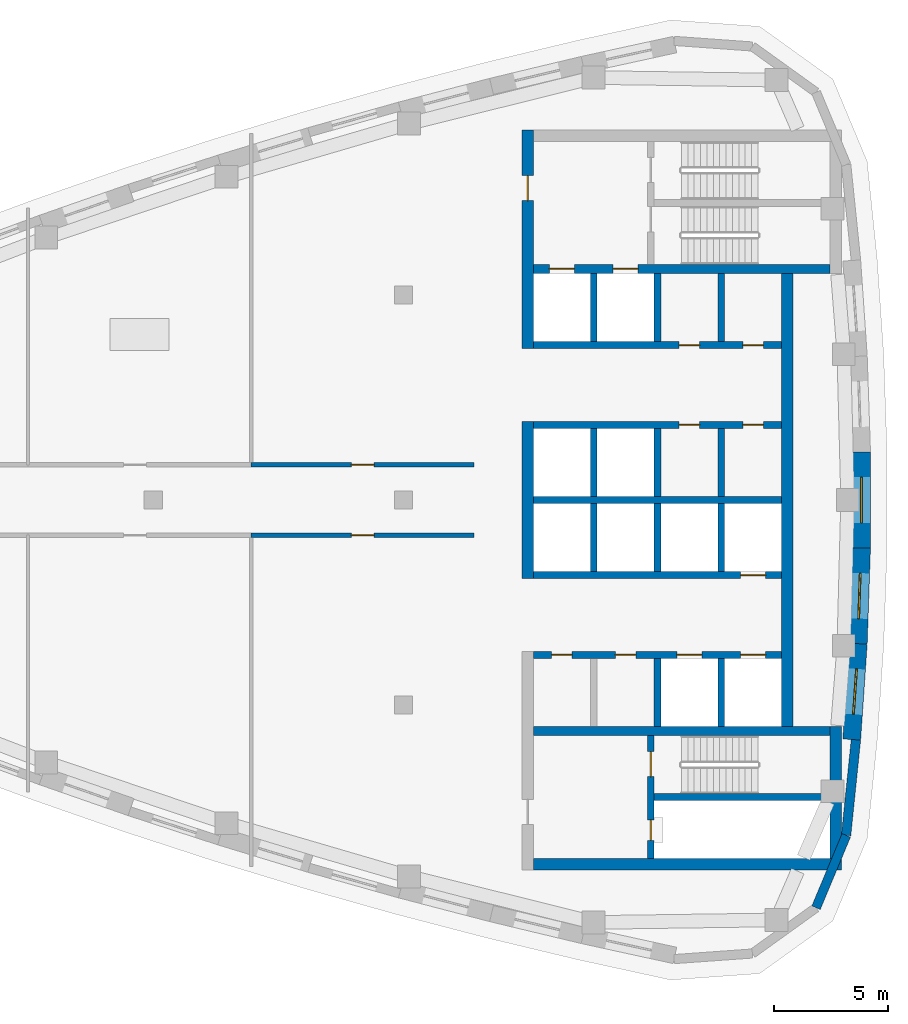
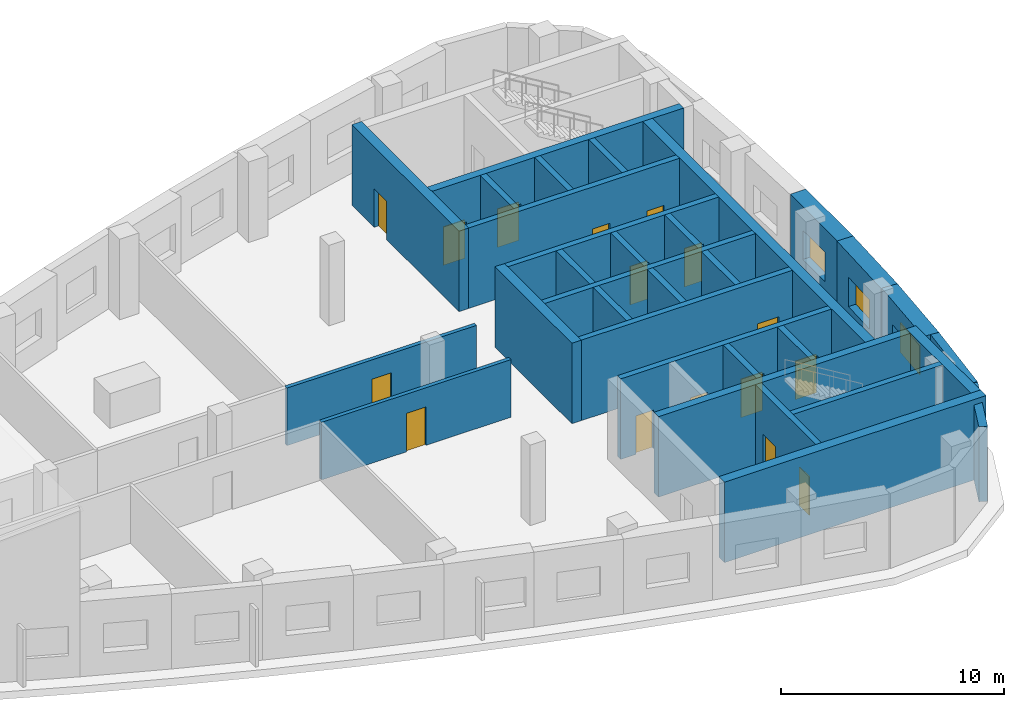
# One storey, part 3 of 7: 32 walls, 16 doors, 3 windows, 19 openings.
"""IFC4 building model written with IfcOpenShell, lengths in metres."""

from ifc_helpers import new_model, si_unit, direction, frame, frame_2d, origin, place, context, subcontext, project, spatial, rectangle, extrude, material, layer, layer_set, type_object, element, fill, save


model = new_model("IFC4")

# Units and contexts
model_context = context("Model", 3, precision=1e-05, world=origin(), true_north=direction((0.0, 1.0)))
body_context = subcontext(model_context, "Body", "Model", "MODEL_VIEW")
ifc_project = project(units=[si_unit("LENGTHUNIT", "METRE"), si_unit("AREAUNIT", "SQUARE_METRE"), si_unit("VOLUMEUNIT", "CUBIC_METRE"), si_unit("PLANEANGLEUNIT", "RADIAN"), si_unit("MASSUNIT", "GRAM", prefix="KILO")], contexts=[model_context])

# Site, building, storey
site_placement = place(None, origin())
site = spatial("IfcSite", under=ifc_project, at=site_placement, CompositionType="ELEMENT")
building_placement = place(site_placement, origin())
building = spatial("IfcBuilding", under=site, at=building_placement, Name="Ostrand Prow Hotel Tower", CompositionType="ELEMENT")
storey_placement = place(building_placement, frame((0.0, 0.0, 323.0)))
storey = spatial("IfcBuildingStorey", under=building, at=storey_placement, Name="C4", CompositionType="ELEMENT", Elevation=323.0)

# Wall
ifc_material_1 = material(Name="Concrete C40/50", Category="concrete")
ifc_layer_1 = layer(ifc_material_1, 0.300048828125)
ifc_layer_set_1 = layer_set([ifc_layer_1], Name="Concrete C40/50")
wall_type_1 = type_object("IfcWallType", Name="Core wall 300 C40/50", PredefinedType="SHEAR", material=ifc_layer_set_1)
wall_1_placement = place(storey_placement, frame((50.699951171875, 0.0, 0.0), z_axis=(0.0, 0.0, 1.0), x_axis=(1.0, 0.0, 0.0)))
element("IfcWall", 1, at=wall_1_placement, inside=storey, type_object=wall_type_1, Name="Core wall PW-C", PredefinedType="SHEAR", context=body_context, shape_type="SweptSolid", body=[
    extrude(rectangle(XDim=10.900146484375, YDim=0.300048828125, at=frame_2d((5.4501953125, 0.0))), origin(), (0.0, 0.0, 1.0), 4.39990234375),
])

# Wall, openings, doors
wall_2_placement = place(storey_placement, frame((50.699951171875, 3.300048828125, 0.0), z_axis=(0.0, 0.0, 1.0), x_axis=(1.0, 0.0, 0.0)))
wall_2 = element("IfcWall", 2, at=wall_2_placement, inside=storey, type_object=wall_type_1, Name="Core wall PW-L1-N", PredefinedType="SHEAR", context=body_context, shape_type="SweptSolid", body=[
    extrude(rectangle(XDim=10.900146484375, YDim=0.300048828125, at=frame_2d((5.4501953125, 0.0))), origin(), (0.0, 0.0, 1.0), 4.39990234375),
])
opening_1_placement = place(wall_2_placement, frame((6.39990234375, 0.0, 0.0)))
opening_1 = element("IfcOpeningElement", 3, at=opening_1_placement, cuts=wall_2, Name="Opening FD2", PredefinedType="OPENING", context=body_context, shape_type="SweptSolid", body=[
    extrude(rectangle(XDim=0.89990234375, YDim=2.10009765625, at=frame_2d((0.449951171875, 1.050048828125))), frame((0.0, 0.159912109375, 0.0), z_axis=(0.0, -1.0, 0.0), x_axis=(1.0, 0.0, 0.0)), (0.0, 0.0, 1.0), 0.320068359375),
])
opening_2_placement = place(wall_2_placement, frame((9.199951171875, 0.0, 0.0)))
opening_2 = element("IfcOpeningElement", 4, at=opening_2_placement, cuts=wall_2, Name="Opening FD2", PredefinedType="OPENING", context=body_context, shape_type="SweptSolid", body=[
    extrude(rectangle(XDim=0.89990234375, YDim=2.10009765625, at=frame_2d((0.449951171875, 1.050048828125))), frame((0.0, 0.159912109375, 0.0), z_axis=(0.0, -1.0, 0.0), x_axis=(1.0, 0.0, 0.0)), (0.0, 0.0, 1.0), 0.320068359375),
])
ifc_material_2 = material(Name="Steel fire door", Category="steel")
door_type_1 = type_object("IfcDoorType", Name="Fire door 900 EI120", OperationType="SINGLE_SWING_LEFT", PredefinedType="DOOR", material=ifc_material_2)
door_1_placement = place(opening_1_placement, origin())
door_1 = element("IfcDoor", 5, at=door_1_placement, inside=storey, type_object=door_type_1, Name="DOOR", OperationType="SINGLE_SWING_LEFT", OverallHeight=2.10009765625, OverallWidth=0.89990234375, PredefinedType="DOOR", context=body_context, shape_type="SweptSolid", body=[
    extrude(rectangle(XDim=0.89990234375, YDim=2.10009765625, at=frame_2d((0.449951171875, 1.050048828125))), frame((0.0, 0.02490234375, 0.0), z_axis=(0.0, -1.0, 0.0), x_axis=(1.0, 0.0, 0.0)), (0.0, 0.0, 1.0), 0.050048828125),
])
fill(opening_1, door_1)
door_2_placement = place(opening_2_placement, origin())
door_2 = element("IfcDoor", 6, at=door_2_placement, inside=storey, type_object=door_type_1, Name="DOOR", OperationType="SINGLE_SWING_LEFT", OverallHeight=2.10009765625, OverallWidth=0.89990234375, PredefinedType="DOOR", context=body_context, shape_type="SweptSolid", body=[
    extrude(rectangle(XDim=0.89990234375, YDim=2.10009765625, at=frame_2d((0.449951171875, 1.050048828125))), frame((0.0, 0.02490234375, 0.0), z_axis=(0.0, -1.0, 0.0), x_axis=(1.0, 0.0, 0.0)), (0.0, 0.0, 1.0), 0.050048828125),
])
fill(opening_2, door_2)

wall_3_placement = place(storey_placement, frame((50.699951171875, 6.800048828125, 0.0), z_axis=(0.0, 0.0, 1.0), x_axis=(1.0, 0.0, 0.0)))
wall_3 = element("IfcWall", 7, at=wall_3_placement, inside=storey, type_object=wall_type_1, Name="Core wall PW-L2-N", PredefinedType="SHEAR", context=body_context, shape_type="SweptSolid", body=[
    extrude(rectangle(XDim=10.900146484375, YDim=0.300048828125, at=frame_2d((5.4501953125, 0.0))), origin(), (0.0, 0.0, 1.0), 4.39990234375),
])
opening_3_placement = place(wall_3_placement, frame((6.39990234375, 0.0, 0.0)))
opening_3 = element("IfcOpeningElement", 8, at=opening_3_placement, cuts=wall_3, Name="Opening FD2", PredefinedType="OPENING", context=body_context, shape_type="SweptSolid", body=[
    extrude(rectangle(XDim=0.89990234375, YDim=2.10009765625, at=frame_2d((0.449951171875, 1.050048828125))), frame((0.0, 0.159912109375, 0.0), z_axis=(0.0, -1.0, 0.0), x_axis=(1.0, 0.0, 0.0)), (0.0, 0.0, 1.0), 0.320068359375),
])
opening_4_placement = place(wall_3_placement, frame((9.199951171875, 0.0, 0.0)))
opening_4 = element("IfcOpeningElement", 9, at=opening_4_placement, cuts=wall_3, Name="Opening FD2", PredefinedType="OPENING", context=body_context, shape_type="SweptSolid", body=[
    extrude(rectangle(XDim=0.89990234375, YDim=2.10009765625, at=frame_2d((0.449951171875, 1.050048828125))), frame((0.0, 0.159912109375, 0.0), z_axis=(0.0, -1.0, 0.0), x_axis=(1.0, 0.0, 0.0)), (0.0, 0.0, 1.0), 0.320068359375),
])
door_3_placement = place(opening_3_placement, origin())
door_3 = element("IfcDoor", 10, at=door_3_placement, inside=storey, type_object=door_type_1, Name="DOOR", OperationType="SINGLE_SWING_LEFT", OverallHeight=2.10009765625, OverallWidth=0.89990234375, PredefinedType="DOOR", context=body_context, shape_type="SweptSolid", body=[
    extrude(rectangle(XDim=0.89990234375, YDim=2.10009765625, at=frame_2d((0.449951171875, 1.050048828125))), frame((0.0, 0.02490234375, 0.0), z_axis=(0.0, -1.0, 0.0), x_axis=(1.0, 0.0, 0.0)), (0.0, 0.0, 1.0), 0.050048828125),
])
fill(opening_3, door_3)
door_4_placement = place(opening_4_placement, origin())
door_4 = element("IfcDoor", 11, at=door_4_placement, inside=storey, type_object=door_type_1, Name="DOOR", OperationType="SINGLE_SWING_LEFT", OverallHeight=2.10009765625, OverallWidth=0.89990234375, PredefinedType="DOOR", context=body_context, shape_type="SweptSolid", body=[
    extrude(rectangle(XDim=0.89990234375, YDim=2.10009765625, at=frame_2d((0.449951171875, 1.050048828125))), frame((0.0, 0.02490234375, 0.0), z_axis=(0.0, -1.0, 0.0), x_axis=(1.0, 0.0, 0.0)), (0.0, 0.0, 1.0), 0.050048828125),
])
fill(opening_4, door_4)

# Walls
for number, where, z_axis, x_axis, name in (
    (12, (53.35009765625, 0.14990234375, 0.0), (0.0, 0.0, 1.0), (0.0, 1.0, 0.0), "Core wall PW-R1-NB"),
    (13, (53.35009765625, 6.949951171875, 0.0), (0.0, 0.0, 1.0), (0.0, 1.0, 0.0), "Core wall PW-R1-NA"),
    (14, (56.14990234375, 0.14990234375, 0.0), (0.0, 0.0, 1.0), (0.0, 1.0, 0.0), "Core wall PW-R2-NB"),
    (15, (56.14990234375, 6.949951171875, 0.0), (0.0, 0.0, 1.0), (0.0, 1.0, 0.0), "Core wall PW-R2-NA"),
    (16, (58.949951171875, 0.14990234375, 0.0), (0.0, 0.0, 1.0), (0.0, 1.0, 0.0), "Core wall PW-R3-NB"),
    (17, (58.949951171875, 6.949951171875, 0.0), (0.0, 0.0, 1.0), (0.0, 1.0, 0.0), "Core wall PW-R3-NA"),
):
    element("IfcWall", number, at=place(storey_placement, frame(where, z_axis=z_axis, x_axis=x_axis)), inside=storey, type_object=wall_type_1, Name=name, PredefinedType="SHEAR", context=body_context, shape_type="SweptSolid", body=[
        extrude(rectangle(XDim=3.0, YDim=0.300048828125, at=frame_2d((1.5, 0.0))), origin(), (0.0, 0.0, 1.0), 4.39990234375),
    ])

# Wall, opening, door
wall_4_placement = place(storey_placement, frame((50.699951171875, -3.300048828125, 0.0), z_axis=(0.0, 0.0, 1.0), x_axis=(1.0, 0.0, 0.0)))
wall_4 = element("IfcWall", 18, at=wall_4_placement, inside=storey, type_object=wall_type_1, Name="Core wall PW-L1-S", PredefinedType="SHEAR", context=body_context, shape_type="SweptSolid", body=[
    extrude(rectangle(XDim=10.900146484375, YDim=0.300048828125, at=frame_2d((5.4501953125, 0.0))), origin(), (0.0, 0.0, 1.0), 4.39990234375),
])
opening_5_placement = place(wall_4_placement, frame((9.10009765625, 0.0, 0.0)))
opening_5 = element("IfcOpeningElement", 19, at=opening_5_placement, cuts=wall_4, Name="Opening LD", PredefinedType="OPENING", context=body_context, shape_type="SweptSolid", body=[
    extrude(rectangle(XDim=1.10009765625, YDim=2.10009765625, at=frame_2d((0.550048828125, 1.050048828125))), frame((0.0, 0.159912109375, 0.0), z_axis=(0.0, -1.0, 0.0), x_axis=(1.0, 0.0, 0.0)), (0.0, 0.0, 1.0), 0.320068359375),
])
ifc_material_3 = material(Name="Stainless steel door", Category="steel")
door_type_2 = type_object("IfcDoorType", Name="Lift landing door 1100", OperationType="DOUBLE_DOOR_SLIDING", PredefinedType="DOOR", material=ifc_material_3)
door_5_placement = place(opening_5_placement, origin())
door_5 = element("IfcDoor", 20, at=door_5_placement, inside=storey, type_object=door_type_2, Name="LIFT LANDING DOOR", OperationType="DOUBLE_DOOR_SLIDING", OverallHeight=2.10009765625, OverallWidth=1.10009765625, PredefinedType="DOOR", context=body_context, shape_type="SweptSolid", body=[
    extrude(rectangle(XDim=1.10009765625, YDim=2.10009765625, at=frame_2d((0.550048828125, 1.050048828125))), frame((0.0, 0.02490234375, 0.0), z_axis=(0.0, -1.0, 0.0), x_axis=(1.0, 0.0, 0.0)), (0.0, 0.0, 1.0), 0.050048828125),
])
fill(opening_5, door_5)

# Wall, openings, doors
wall_5_placement = place(storey_placement, frame((50.699951171875, -6.800048828125, 0.0), z_axis=(0.0, 0.0, 1.0), x_axis=(1.0, 0.0, 0.0)))
wall_5 = element("IfcWall", 21, at=wall_5_placement, inside=storey, type_object=wall_type_1, Name="Core wall PW-L2-S", PredefinedType="SHEAR", context=body_context, shape_type="SweptSolid", body=[
    extrude(rectangle(XDim=10.900146484375, YDim=0.300048828125, at=frame_2d((5.4501953125, 0.0))), origin(), (0.0, 0.0, 1.0), 4.39990234375),
])
opening_6_placement = place(wall_5_placement, frame((6.300048828125, 0.0, 0.0)))
opening_6 = element("IfcOpeningElement", 22, at=opening_6_placement, cuts=wall_5, Name="Opening LD", PredefinedType="OPENING", context=body_context, shape_type="SweptSolid", body=[
    extrude(rectangle(XDim=1.10009765625, YDim=2.10009765625, at=frame_2d((0.550048828125, 1.050048828125))), frame((0.0, 0.159912109375, 0.0), z_axis=(0.0, -1.0, 0.0), x_axis=(1.0, 0.0, 0.0)), (0.0, 0.0, 1.0), 0.320068359375),
])
opening_7_placement = place(wall_5_placement, frame((9.10009765625, 0.0, 0.0)))
opening_7 = element("IfcOpeningElement", 23, at=opening_7_placement, cuts=wall_5, Name="Opening LD", PredefinedType="OPENING", context=body_context, shape_type="SweptSolid", body=[
    extrude(rectangle(XDim=1.10009765625, YDim=2.10009765625, at=frame_2d((0.550048828125, 1.050048828125))), frame((0.0, 0.159912109375, 0.0), z_axis=(0.0, -1.0, 0.0), x_axis=(1.0, 0.0, 0.0)), (0.0, 0.0, 1.0), 0.320068359375),
])
opening_8_placement = place(wall_5_placement, frame((0.800048828125, 0.0, 0.0)))
opening_8 = element("IfcOpeningElement", 24, at=opening_8_placement, cuts=wall_5, Name="Opening FD2", PredefinedType="OPENING", context=body_context, shape_type="SweptSolid", body=[
    extrude(rectangle(XDim=0.89990234375, YDim=2.10009765625, at=frame_2d((0.449951171875, 1.050048828125))), frame((0.0, 0.159912109375, 0.0), z_axis=(0.0, -1.0, 0.0), x_axis=(1.0, 0.0, 0.0)), (0.0, 0.0, 1.0), 0.320068359375),
])
opening_9_placement = place(wall_5_placement, frame((3.60009765625, 0.0, 0.0)))
opening_9 = element("IfcOpeningElement", 25, at=opening_9_placement, cuts=wall_5, Name="Opening FD2", PredefinedType="OPENING", context=body_context, shape_type="SweptSolid", body=[
    extrude(rectangle(XDim=0.89990234375, YDim=2.10009765625, at=frame_2d((0.449951171875, 1.050048828125))), frame((0.0, 0.159912109375, 0.0), z_axis=(0.0, -1.0, 0.0), x_axis=(1.0, 0.0, 0.0)), (0.0, 0.0, 1.0), 0.320068359375),
])
door_6_placement = place(opening_8_placement, origin())
door_6 = element("IfcDoor", 26, at=door_6_placement, inside=storey, type_object=door_type_1, Name="DOOR", OperationType="SINGLE_SWING_LEFT", OverallHeight=2.10009765625, OverallWidth=0.89990234375, PredefinedType="DOOR", context=body_context, shape_type="SweptSolid", body=[
    extrude(rectangle(XDim=0.89990234375, YDim=2.10009765625, at=frame_2d((0.449951171875, 1.050048828125))), frame((0.0, 0.02490234375, 0.0), z_axis=(0.0, -1.0, 0.0), x_axis=(1.0, 0.0, 0.0)), (0.0, 0.0, 1.0), 0.050048828125),
])
fill(opening_8, door_6)
door_7_placement = place(opening_9_placement, origin())
door_7 = element("IfcDoor", 27, at=door_7_placement, inside=storey, type_object=door_type_1, Name="DOOR", OperationType="SINGLE_SWING_LEFT", OverallHeight=2.10009765625, OverallWidth=0.89990234375, PredefinedType="DOOR", context=body_context, shape_type="SweptSolid", body=[
    extrude(rectangle(XDim=0.89990234375, YDim=2.10009765625, at=frame_2d((0.449951171875, 1.050048828125))), frame((0.0, 0.02490234375, 0.0), z_axis=(0.0, -1.0, 0.0), x_axis=(1.0, 0.0, 0.0)), (0.0, 0.0, 1.0), 0.050048828125),
])
fill(opening_9, door_7)
door_8_placement = place(opening_6_placement, origin())
door_8 = element("IfcDoor", 28, at=door_8_placement, inside=storey, type_object=door_type_2, Name="LIFT LANDING DOOR", OperationType="DOUBLE_DOOR_SLIDING", OverallHeight=2.10009765625, OverallWidth=1.10009765625, PredefinedType="DOOR", context=body_context, shape_type="SweptSolid", body=[
    extrude(rectangle(XDim=1.10009765625, YDim=2.10009765625, at=frame_2d((0.550048828125, 1.050048828125))), frame((0.0, 0.02490234375, 0.0), z_axis=(0.0, -1.0, 0.0), x_axis=(1.0, 0.0, 0.0)), (0.0, 0.0, 1.0), 0.050048828125),
])
fill(opening_6, door_8)
door_9_placement = place(opening_7_placement, origin())
door_9 = element("IfcDoor", 29, at=door_9_placement, inside=storey, type_object=door_type_2, Name="LIFT LANDING DOOR", OperationType="DOUBLE_DOOR_SLIDING", OverallHeight=2.10009765625, OverallWidth=1.10009765625, PredefinedType="DOOR", context=body_context, shape_type="SweptSolid", body=[
    extrude(rectangle(XDim=1.10009765625, YDim=2.10009765625, at=frame_2d((0.550048828125, 1.050048828125))), frame((0.0, 0.02490234375, 0.0), z_axis=(0.0, -1.0, 0.0), x_axis=(1.0, 0.0, 0.0)), (0.0, 0.0, 1.0), 0.050048828125),
])
fill(opening_7, door_9)

# Walls
for number, where, z_axis, x_axis, name in (
    (30, (53.35009765625, -3.14990234375, 0.0), (0.0, 0.0, 1.0), (0.0, 1.0, 0.0), "Core wall PW-R1-SB"),
    (31, (56.14990234375, -3.14990234375, 0.0), (0.0, 0.0, 1.0), (0.0, 1.0, 0.0), "Core wall PW-R2-SB"),
    (32, (56.14990234375, -9.949951171875, 0.0), (0.0, 0.0, 1.0), (0.0, 1.0, 0.0), "Core wall PW-R2-SA"),
    (33, (58.949951171875, -3.14990234375, 0.0), (0.0, 0.0, 1.0), (0.0, 1.0, 0.0), "Core wall PW-R3-SB"),
    (34, (58.949951171875, -9.949951171875, 0.0), (0.0, 0.0, 1.0), (0.0, 1.0, 0.0), "Core wall PW-R3-SA"),
):
    element("IfcWall", number, at=place(storey_placement, frame(where, z_axis=z_axis, x_axis=x_axis)), inside=storey, type_object=wall_type_1, Name=name, PredefinedType="SHEAR", context=body_context, shape_type="SweptSolid", body=[
        extrude(rectangle(XDim=3.0, YDim=0.300048828125, at=frame_2d((1.5, 0.0))), origin(), (0.0, 0.0, 1.0), 4.39990234375),
    ])

# Wall, openings, doors
wall_6_placement = place(storey_placement, frame((55.85009765625, -15.75, 0.0), z_axis=(0.0, 0.0, 1.0), x_axis=(0.0, 1.0, 0.0)))
wall_6 = element("IfcWall", 35, at=wall_6_placement, inside=storey, type_object=wall_type_1, Name="Core wall PW-VS", PredefinedType="SHEAR", context=body_context, shape_type="SweptSolid", body=[
    extrude(rectangle(XDim=5.39990234375, YDim=0.300048828125, at=frame_2d((2.699951171875, 0.0))), origin(), (0.0, 0.0, 1.0), 4.39990234375),
])
opening_10_placement = place(wall_6_placement, frame((3.60009765625, 0.0, 0.0)))
opening_10 = element("IfcOpeningElement", 36, at=opening_10_placement, cuts=wall_6, Name="Opening FD1", PredefinedType="OPENING", context=body_context, shape_type="SweptSolid", body=[
    extrude(rectangle(XDim=1.10009765625, YDim=2.10009765625, at=frame_2d((0.550048828125, 1.050048828125))), frame((0.0, 0.159912109375, 0.0), z_axis=(0.0, -1.0, 0.0), x_axis=(1.0, 0.0, 0.0)), (0.0, 0.0, 1.0), 0.320068359375),
])
opening_11_placement = place(wall_6_placement, frame((0.800048828125, 0.0, 0.0)))
opening_11 = element("IfcOpeningElement", 37, at=opening_11_placement, cuts=wall_6, Name="Opening FD2", PredefinedType="OPENING", context=body_context, shape_type="SweptSolid", body=[
    extrude(rectangle(XDim=0.89990234375, YDim=2.10009765625, at=frame_2d((0.449951171875, 1.050048828125))), frame((0.0, 0.159912109375, 0.0), z_axis=(0.0, -1.0, 0.0), x_axis=(1.0, 0.0, 0.0)), (0.0, 0.0, 1.0), 0.320068359375),
])
ifc_material_4 = material(Name="Steel fire door", Category="steel")
door_type_3 = type_object("IfcDoorType", Name="Fire door 1100 EI120", OperationType="SINGLE_SWING_RIGHT", PredefinedType="DOOR", material=ifc_material_4)
door_10_placement = place(opening_10_placement, origin())
door_10 = element("IfcDoor", 38, at=door_10_placement, inside=storey, type_object=door_type_3, Name="FIRE DOOR", OperationType="SINGLE_SWING_RIGHT", OverallHeight=2.10009765625, OverallWidth=1.10009765625, PredefinedType="DOOR", context=body_context, shape_type="SweptSolid", body=[
    extrude(rectangle(XDim=1.10009765625, YDim=2.10009765625, at=frame_2d((0.550048828125, 1.050048828125))), frame((0.0, 0.02490234375, 0.0), z_axis=(0.0, -1.0, 0.0), x_axis=(1.0, 0.0, 0.0)), (0.0, 0.0, 1.0), 0.050048828125),
])
fill(opening_10, door_10)
door_11_placement = place(opening_11_placement, origin())
door_11 = element("IfcDoor", 39, at=door_11_placement, inside=storey, type_object=door_type_1, Name="FIRE DOOR", OperationType="SINGLE_SWING_LEFT", OverallHeight=2.10009765625, OverallWidth=0.89990234375, PredefinedType="DOOR", context=body_context, shape_type="SweptSolid", body=[
    extrude(rectangle(XDim=0.89990234375, YDim=2.10009765625, at=frame_2d((0.449951171875, 1.050048828125))), frame((0.0, 0.02490234375, 0.0), z_axis=(0.0, -1.0, 0.0), x_axis=(1.0, 0.0, 0.0)), (0.0, 0.0, 1.0), 0.050048828125),
])
fill(opening_11, door_11)

# Wall
wall_7_placement = place(storey_placement, frame((56.0, -13.050048828125, 0.0), z_axis=(0.0, 0.0, 1.0), x_axis=(1.0, 0.0, 0.0)))
element("IfcWall", 40, at=wall_7_placement, inside=storey, type_object=wall_type_1, Name="Core wall PW-ST2R", PredefinedType="SHEAR", context=body_context, shape_type="SweptSolid", body=[
    extrude(rectangle(XDim=7.719970703125, YDim=0.300048828125, at=frame_2d((3.85986328125, 0.0))), origin(), (0.0, 0.0, 1.0), 4.39990234375),
])

# Wall, openings, doors
ifc_material_5 = material(Name="Concrete C40/50", Category="concrete")
ifc_layer_2 = layer(ifc_material_5, 0.39990234375)
ifc_layer_set_2 = layer_set([ifc_layer_2], Name="Concrete C40/50")
wall_type_2 = type_object("IfcWallType", Name="Core wall 400 C40/50", PredefinedType="SHEAR", material=ifc_layer_set_2)
wall_8_placement = place(storey_placement, frame((50.699951171875, 10.14990234375, 0.0), z_axis=(0.0, 0.0, 1.0), x_axis=(1.0, 0.0, 0.0)))
wall_8 = element("IfcWall", 41, at=wall_8_placement, inside=storey, type_object=wall_type_2, Name="Core wall PW-BN", PredefinedType="SHEAR", context=body_context, shape_type="SweptSolid", body=[
    extrude(rectangle(XDim=13.02001953125, YDim=0.39990234375, at=frame_2d((6.510009765625, 0.0))), origin(), (0.0, 0.0, 1.0), 4.39990234375),
])
opening_12_placement = place(wall_8_placement, frame((0.699951171875, 0.0, 0.0)))
opening_12 = element("IfcOpeningElement", 42, at=opening_12_placement, cuts=wall_8, Name="Opening LD", PredefinedType="OPENING", context=body_context, shape_type="SweptSolid", body=[
    extrude(rectangle(XDim=1.10009765625, YDim=2.10009765625, at=frame_2d((0.550048828125, 1.050048828125))), frame((0.0, 0.2099609375, 0.0), z_axis=(0.0, -1.0, 0.0), x_axis=(1.0, 0.0, 0.0)), (0.0, 0.0, 1.0), 0.419921875),
])
opening_13_placement = place(wall_8_placement, frame((3.5, 0.0, 0.0)))
opening_13 = element("IfcOpeningElement", 43, at=opening_13_placement, cuts=wall_8, Name="Opening LD", PredefinedType="OPENING", context=body_context, shape_type="SweptSolid", body=[
    extrude(rectangle(XDim=1.10009765625, YDim=2.10009765625, at=frame_2d((0.550048828125, 1.050048828125))), frame((0.0, 0.2099609375, 0.0), z_axis=(0.0, -1.0, 0.0), x_axis=(1.0, 0.0, 0.0)), (0.0, 0.0, 1.0), 0.419921875),
])
door_12_placement = place(opening_12_placement, origin())
door_12 = element("IfcDoor", 44, at=door_12_placement, inside=storey, type_object=door_type_2, Name="LIFT LANDING DOOR", OperationType="DOUBLE_DOOR_SLIDING", OverallHeight=2.10009765625, OverallWidth=1.10009765625, PredefinedType="DOOR", context=body_context, shape_type="SweptSolid", body=[
    extrude(rectangle(XDim=1.10009765625, YDim=2.10009765625, at=frame_2d((0.550048828125, 1.050048828125))), frame((0.0, 0.02490234375, 0.0), z_axis=(0.0, -1.0, 0.0), x_axis=(1.0, 0.0, 0.0)), (0.0, 0.0, 1.0), 0.050048828125),
])
fill(opening_12, door_12)
door_13_placement = place(opening_13_placement, origin())
door_13 = element("IfcDoor", 45, at=door_13_placement, inside=storey, type_object=door_type_2, Name="LIFT LANDING DOOR", OperationType="DOUBLE_DOOR_SLIDING", OverallHeight=2.10009765625, OverallWidth=1.10009765625, PredefinedType="DOOR", context=body_context, shape_type="SweptSolid", body=[
    extrude(rectangle(XDim=1.10009765625, YDim=2.10009765625, at=frame_2d((0.550048828125, 1.050048828125))), frame((0.0, 0.02490234375, 0.0), z_axis=(0.0, -1.0, 0.0), x_axis=(1.0, 0.0, 0.0)), (0.0, 0.0, 1.0), 0.050048828125),
])
fill(opening_13, door_13)

# Wall
wall_9_placement = place(storey_placement, frame((50.699951171875, -10.14990234375, 0.0), z_axis=(0.0, 0.0, 1.0), x_axis=(1.0, 0.0, 0.0)))
element("IfcWall", 46, at=wall_9_placement, inside=storey, type_object=wall_type_2, Name="Core wall PW-BS", PredefinedType="SHEAR", context=body_context, shape_type="SweptSolid", body=[
    extrude(rectangle(XDim=13.02001953125, YDim=0.39990234375, at=frame_2d((6.510009765625, 0.0))), origin(), (0.0, 0.0, 1.0), 4.39990234375),
])

# Wall, opening, door
ifc_material_6 = material(Name="Concrete C40/50", Category="concrete")
ifc_layer_3 = layer(ifc_material_6, 0.5)
ifc_layer_set_3 = layer_set([ifc_layer_3], Name="Concrete C40/50")
wall_type_3 = type_object("IfcWallType", Name="Core wall 500 C40/50", PredefinedType="SHEAR", material=ifc_layer_set_3)
wall_10_placement = place(storey_placement, frame((50.449951171875, 6.64990234375, 0.0), z_axis=(0.0, 0.0, 1.0), x_axis=(0.0, 1.0, 0.0)))
wall_10 = element("IfcWall", 47, at=wall_10_placement, inside=storey, type_object=wall_type_3, Name="Core wall CW-W-N", PredefinedType="SHEAR", context=body_context, shape_type="SweptSolid", body=[
    extrude(rectangle(XDim=9.60009765625, YDim=0.5, at=frame_2d((4.800048828125, 0.0))), origin(), (0.0, 0.0, 1.0), 4.39990234375),
])
opening_14_placement = place(wall_10_placement, frame((6.5, 0.0, 0.0)))
opening_14 = element("IfcOpeningElement", 48, at=opening_14_placement, cuts=wall_10, Name="Opening FD1", PredefinedType="OPENING", context=body_context, shape_type="SweptSolid", body=[
    extrude(rectangle(XDim=1.10009765625, YDim=2.10009765625, at=frame_2d((0.550048828125, 1.050048828125))), frame((0.0, 0.260009765625, 0.0), z_axis=(0.0, -1.0, 0.0), x_axis=(1.0, 0.0, 0.0)), (0.0, 0.0, 1.0), 0.52001953125),
])
door_14_placement = place(opening_14_placement, origin())
door_14 = element("IfcDoor", 49, at=door_14_placement, inside=storey, type_object=door_type_3, Name="FIRE DOOR", OperationType="SINGLE_SWING_RIGHT", OverallHeight=2.10009765625, OverallWidth=1.10009765625, PredefinedType="DOOR", context=body_context, shape_type="SweptSolid", body=[
    extrude(rectangle(XDim=1.10009765625, YDim=2.10009765625, at=frame_2d((0.550048828125, 1.050048828125))), frame((0.0, 0.02490234375, 0.0), z_axis=(0.0, -1.0, 0.0), x_axis=(1.0, 0.0, 0.0)), (0.0, 0.0, 1.0), 0.050048828125),
])
fill(opening_14, door_14)

# Walls
wall_11_placement = place(storey_placement, frame((50.449951171875, -3.449951171875, 0.0), z_axis=(0.0, 0.0, 1.0), x_axis=(0.0, 1.0, 0.0)))
element("IfcWall", 50, at=wall_11_placement, inside=storey, type_object=wall_type_3, Name="Core wall CW-W-C", PredefinedType="SHEAR", context=body_context, shape_type="SweptSolid", body=[
    extrude(rectangle(XDim=6.89990234375, YDim=0.5, at=frame_2d((3.449951171875, 0.0))), origin(), (0.0, 0.0, 1.0), 4.39990234375),
])
wall_12_placement = place(storey_placement, frame((50.699951171875, -16.0, 0.0), z_axis=(0.0, 0.0, 1.0), x_axis=(1.0, 0.0, 0.0)))
element("IfcWall", 51, at=wall_12_placement, inside=storey, type_object=wall_type_3, Name="Core wall CW-S", PredefinedType="SHEAR", context=body_context, shape_type="SweptSolid", body=[
    extrude(rectangle(XDim=13.52001953125, YDim=0.5, at=frame_2d((6.760009765625, 0.0))), origin(), (0.0, 0.0, 1.0), 4.39990234375),
])
wall_13_placement = place(storey_placement, frame((63.969970703125, -15.75, 0.0), z_axis=(0.0, 0.0, 1.0), x_axis=(0.0, 1.0, 0.0)))
element("IfcWall", 52, at=wall_13_placement, inside=storey, type_object=wall_type_3, Name="Core wall CW-E-S", PredefinedType="SHEAR", context=body_context, shape_type="SweptSolid", body=[
    extrude(rectangle(XDim=5.800048828125, YDim=0.5, at=frame_2d((2.89990234375, 0.0))), origin(), (0.0, 0.0, 1.0), 4.39990234375),
])
wall_14_placement = place(storey_placement, frame((61.85009765625, -9.949951171875, 0.0), z_axis=(0.0, 0.0, 1.0), x_axis=(0.0, 1.0, 0.0)))
element("IfcWall", 53, at=wall_14_placement, inside=storey, type_object=wall_type_3, Name="Core wall CW-E-C", PredefinedType="SHEAR", context=body_context, shape_type="SweptSolid", body=[
    extrude(rectangle(XDim=19.89990234375, YDim=0.5, at=frame_2d((9.949951171875, 0.0))), origin(), (0.0, 0.0, 1.0), 4.39990234375),
])

# Wall, opening, door
ifc_material_7 = material(Name="Plasterboard partition")
ifc_layer_4 = layer(ifc_material_7, 0.199951171875)
ifc_layer_set_4 = layer_set([ifc_layer_4], Name="Plasterboard partition")
wall_type_4 = type_object("IfcWallType", Name="Partition 200 corridor wall", PredefinedType="PARTITIONING", material=ifc_layer_set_4)
wall_15_placement = place(storey_placement, frame((38.302734375, -1.542724609375, 0.0), z_axis=(0.0, 0.0, 1.0), x_axis=(1.0, 0.0, 0.0)))
wall_15 = element("IfcWall", 54, at=wall_15_placement, inside=storey, type_object=wall_type_4, Name="CORRIDOR WALL", PredefinedType="PARTITIONING", context=body_context, shape_type="SweptSolid", body=[
    extrude(rectangle(XDim=9.79736328125, YDim=0.199951171875, at=frame_2d((4.898681640625, 0.0))), origin(), (0.0, 0.0, 1.0), 3.14990234375),
])
opening_15_placement = place(wall_15_placement, frame((4.398681640625, 0.0, 0.0)))
opening_15 = element("IfcOpeningElement", 55, at=opening_15_placement, cuts=wall_15, Name="Opening D1R", PredefinedType="OPENING", context=body_context, shape_type="SweptSolid", body=[
    extrude(rectangle(XDim=1.0, YDim=2.10009765625, at=frame_2d((0.5, 1.050048828125))), frame((0.0, 0.10986328125, 0.0), z_axis=(0.0, -1.0, 0.0), x_axis=(1.0, 0.0, 0.0)), (0.0, 0.0, 1.0), 0.219970703125),
])
ifc_material_8 = material(Name="Timber door leaf", Category="wood")
door_type_4 = type_object("IfcDoorType", Name="Guest room door 1000 right", OperationType="SINGLE_SWING_RIGHT", PredefinedType="DOOR", material=ifc_material_8)
door_15_placement = place(opening_15_placement, origin())
door_15 = element("IfcDoor", 56, at=door_15_placement, inside=storey, type_object=door_type_4, Name="DOOR", OperationType="SINGLE_SWING_RIGHT", OverallHeight=2.10009765625, OverallWidth=1.0, PredefinedType="DOOR", context=body_context, shape_type="SweptSolid", body=[
    extrude(rectangle(XDim=1.0, YDim=2.10009765625, at=frame_2d((0.5, 1.050048828125))), frame((0.0, 0.02490234375, 0.0), z_axis=(0.0, -1.0, 0.0), x_axis=(1.0, 0.0, 0.0)), (0.0, 0.0, 1.0), 0.050048828125),
])
fill(opening_15, door_15)

wall_16_placement = place(storey_placement, frame((38.302734375, 1.542724609375, 0.0), z_axis=(0.0, 0.0, 1.0), x_axis=(1.0, 0.0, 0.0)))
wall_16 = element("IfcWall", 57, at=wall_16_placement, inside=storey, type_object=wall_type_4, Name="CORRIDOR WALL", PredefinedType="PARTITIONING", context=body_context, shape_type="SweptSolid", body=[
    extrude(rectangle(XDim=9.79736328125, YDim=0.199951171875, at=frame_2d((4.898681640625, 0.0))), origin(), (0.0, 0.0, 1.0), 3.14990234375),
])
opening_16_placement = place(wall_16_placement, frame((4.398681640625, 0.0, 0.0)))
opening_16 = element("IfcOpeningElement", 58, at=opening_16_placement, cuts=wall_16, Name="Opening D1R", PredefinedType="OPENING", context=body_context, shape_type="SweptSolid", body=[
    extrude(rectangle(XDim=1.0, YDim=2.10009765625, at=frame_2d((0.5, 1.050048828125))), frame((0.0, 0.10986328125, 0.0), z_axis=(0.0, -1.0, 0.0), x_axis=(1.0, 0.0, 0.0)), (0.0, 0.0, 1.0), 0.219970703125),
])
door_16_placement = place(opening_16_placement, origin())
door_16 = element("IfcDoor", 59, at=door_16_placement, inside=storey, type_object=door_type_4, Name="DOOR", OperationType="SINGLE_SWING_RIGHT", OverallHeight=2.10009765625, OverallWidth=1.0, PredefinedType="DOOR", context=body_context, shape_type="SweptSolid", body=[
    extrude(rectangle(XDim=1.0, YDim=2.10009765625, at=frame_2d((0.5, 1.050048828125))), frame((0.0, 0.02490234375, 0.0), z_axis=(0.0, -1.0, 0.0), x_axis=(1.0, 0.0, 0.0)), (0.0, 0.0, 1.0), 0.050048828125),
])
fill(opening_16, door_16)

# Walls
ifc_material_9 = material(Name="Precast concrete C40/50", Category="concrete")
ifc_layer_5 = layer(ifc_material_9, 0.39990234375)
ifc_layer_set_5 = layer_set([ifc_layer_5], Name="Precast concrete C40/50")
wall_type_5 = type_object("IfcWallType", Name="Stone-faced precast wall 400 mm", PredefinedType="NOTDEFINED", material=ifc_layer_set_5)
wall_17_placement = place(storey_placement, frame((63.11181640625, -17.906005859375, 0.0), z_axis=(0.0, 0.0, 1.0), x_axis=(0.385279586197, 0.922799891884, 0.0)))
element("IfcWall", 60, at=wall_17_placement, inside=storey, type_object=wall_type_5, Name="Crown side wall C4 18", PredefinedType="NOTDEFINED", context=body_context, shape_type="SweptSolid", body=[
    extrude(rectangle(XDim=3.444580078125, YDim=0.39990234375, at=frame_2d((1.72216796875, 0.0))), origin(), (0.0, 0.0, 1.0), 4.10009765625),
])
wall_18_placement = place(storey_placement, frame((64.43212890625, -14.726806640625, 0.0), z_axis=(0.0, 0.0, 1.0), x_axis=(0.102219795478, 0.994761837533, 0.0)))
element("IfcWall", 61, at=wall_18_placement, inside=storey, type_object=wall_type_5, Name="Crown side wall C4 19", PredefinedType="NOTDEFINED", context=body_context, shape_type="SweptSolid", body=[
    extrude(rectangle(XDim=4.2177734375, YDim=0.413818359375, at=frame_2d((2.10888671875, 0.0))), origin(), (0.0, 0.0, 1.0), 4.10009765625),
])

# Wall, opening, window
wall_19_placement = place(storey_placement, frame((64.67822265625, -10.518798828125, 0.0), z_axis=(0.0, 0.0, 1.0), x_axis=(0.068243871044, 0.997668669481, 0.0)))
wall_19 = element("IfcWall", 62, at=wall_19_placement, inside=storey, type_object=wall_type_5, Name="Crown side wall C4 20", PredefinedType="NOTDEFINED", context=body_context, shape_type="SweptSolid", body=[
    extrude(rectangle(XDim=4.2177734375, YDim=0.784912109375, at=frame_2d((2.10888671875, 0.0))), origin(), (0.0, 0.0, 1.0), 4.10009765625),
])
opening_17_placement = place(wall_19_placement, frame((1.10888671875, 0.0, 1.199951171875)))
opening_17 = element("IfcOpeningElement", 63, at=opening_17_placement, cuts=wall_19, Name="Opening WV1", PredefinedType="OPENING", context=body_context, shape_type="SweptSolid", body=[
    extrude(rectangle(XDim=2.0, YDim=1.60009765625, at=frame_2d((1.0, 0.800048828125))), frame((0.0, 0.40234375, 0.0), z_axis=(0.0, -1.0, 0.0), x_axis=(1.0, 0.0, 0.0)), (0.0, 0.0, 1.0), 0.804931640625),
])
ifc_material_10 = material(Name="Bronze anodised aluminium louvre", Category="aluminium")
window_type = type_object("IfcWindowType", Name="Louvre vent 2000x1600", PartitioningType="SINGLE_PANEL", PredefinedType="WINDOW", material=ifc_material_10)
window_1_placement = place(opening_17_placement, origin())
window_1 = element("IfcWindow", 64, at=window_1_placement, inside=storey, type_object=window_type, Name="Louvre vent 20.1", OverallHeight=1.60009765625, OverallWidth=2.0, PartitioningType="SINGLE_PANEL", PredefinedType="WINDOW", context=body_context, shape_type="SweptSolid", body=[
    extrude(rectangle(XDim=2.0, YDim=1.60009765625, at=frame_2d((1.0, 0.800048828125))), frame((0.0, 0.030029296875, 0.0), z_axis=(0.0, -1.0, 0.0), x_axis=(1.0, 0.0, 0.0)), (0.0, 0.0, 1.0), 0.06005859375),
])
fill(opening_17, window_1)

wall_20_placement = place(storey_placement, frame((64.945556640625, -6.31689453125, 0.0), z_axis=(0.0, 0.0, 1.0), x_axis=(0.034151270612, 0.999416675224, 0.0)))
wall_20 = element("IfcWall", 65, at=wall_20_placement, inside=storey, type_object=wall_type_5, Name="Crown side wall C4 21", PredefinedType="NOTDEFINED", context=body_context, shape_type="SweptSolid", body=[
    extrude(rectangle(XDim=4.2177734375, YDim=0.825439453125, at=frame_2d((2.10888671875, 0.0))), origin(), (0.0, 0.0, 1.0), 4.10009765625),
])
opening_18_placement = place(wall_20_placement, frame((1.10888671875, 0.0, 1.199951171875)))
opening_18 = element("IfcOpeningElement", 66, at=opening_18_placement, cuts=wall_20, Name="Opening WV1", PredefinedType="OPENING", context=body_context, shape_type="SweptSolid", body=[
    extrude(rectangle(XDim=2.0, YDim=1.60009765625, at=frame_2d((1.0, 0.800048828125))), frame((0.0, 0.422607421875, 0.0), z_axis=(0.0, -1.0, 0.0), x_axis=(1.0, 0.0, 0.0)), (0.0, 0.0, 1.0), 0.845458984375),
])
window_2_placement = place(opening_18_placement, origin())
window_2 = element("IfcWindow", 67, at=window_2_placement, inside=storey, type_object=window_type, Name="Louvre vent 21.1", OverallHeight=1.60009765625, OverallWidth=2.0, PartitioningType="SINGLE_PANEL", PredefinedType="WINDOW", context=body_context, shape_type="SweptSolid", body=[
    extrude(rectangle(XDim=2.0, YDim=1.60009765625, at=frame_2d((1.0, 0.800048828125))), frame((0.0, 0.030029296875, 0.0), z_axis=(0.0, -1.0, 0.0), x_axis=(1.0, 0.0, 0.0)), (0.0, 0.0, 1.0), 0.06005859375),
])
fill(opening_18, window_2)

wall_21_placement = place(storey_placement, frame((65.10107421875, -2.10888671875, 0.0), z_axis=(0.0, 0.0, 1.0), x_axis=(0.0, 1.0, 0.0)))
wall_21 = element("IfcWall", 68, at=wall_21_placement, inside=storey, type_object=wall_type_5, Name="Crown side wall C4 22", PredefinedType="NOTDEFINED", context=body_context, shape_type="SweptSolid", body=[
    extrude(rectangle(XDim=4.2177734375, YDim=0.802001953125, at=frame_2d((2.10888671875, 0.0))), origin(), (0.0, 0.0, 1.0), 4.10009765625),
])
opening_19_placement = place(wall_21_placement, frame((1.10888671875, 0.0, 1.199951171875)))
opening_19 = element("IfcOpeningElement", 69, at=opening_19_placement, cuts=wall_21, Name="Opening WV1", PredefinedType="OPENING", context=body_context, shape_type="SweptSolid", body=[
    extrude(rectangle(XDim=2.0, YDim=1.60009765625, at=frame_2d((1.0, 0.800048828125))), frame((0.0, 0.410888671875, 0.0), z_axis=(0.0, -1.0, 0.0), x_axis=(1.0, 0.0, 0.0)), (0.0, 0.0, 1.0), 0.822021484375),
])
window_3_placement = place(opening_19_placement, origin())
window_3 = element("IfcWindow", 70, at=window_3_placement, inside=storey, type_object=window_type, Name="Louvre vent 22.1", OverallHeight=1.60009765625, OverallWidth=2.0, PartitioningType="SINGLE_PANEL", PredefinedType="WINDOW", context=body_context, shape_type="SweptSolid", body=[
    extrude(rectangle(XDim=2.0, YDim=1.60009765625, at=frame_2d((1.0, 0.800048828125))), frame((0.0, 0.030029296875, 0.0), z_axis=(0.0, -1.0, 0.0), x_axis=(1.0, 0.0, 0.0)), (0.0, 0.0, 1.0), 0.06005859375),
])
fill(opening_19, window_3)

save(model, "model.ifc")
